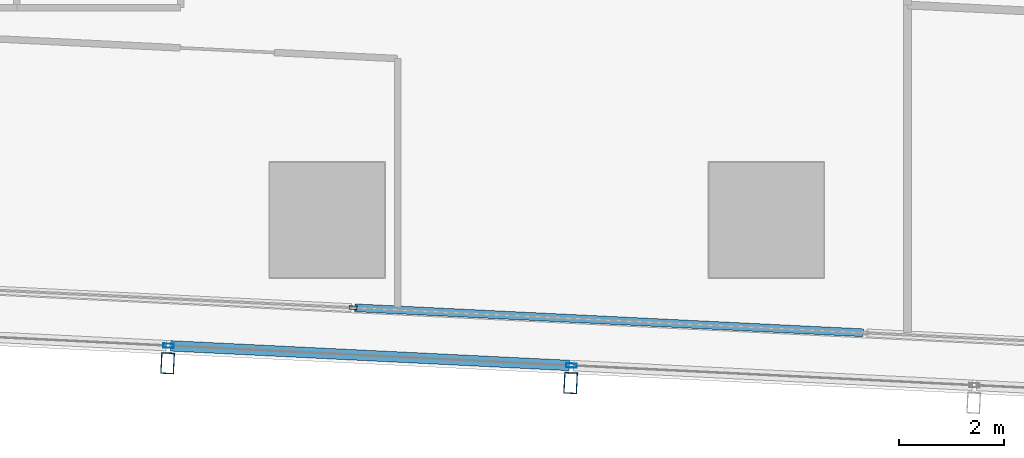
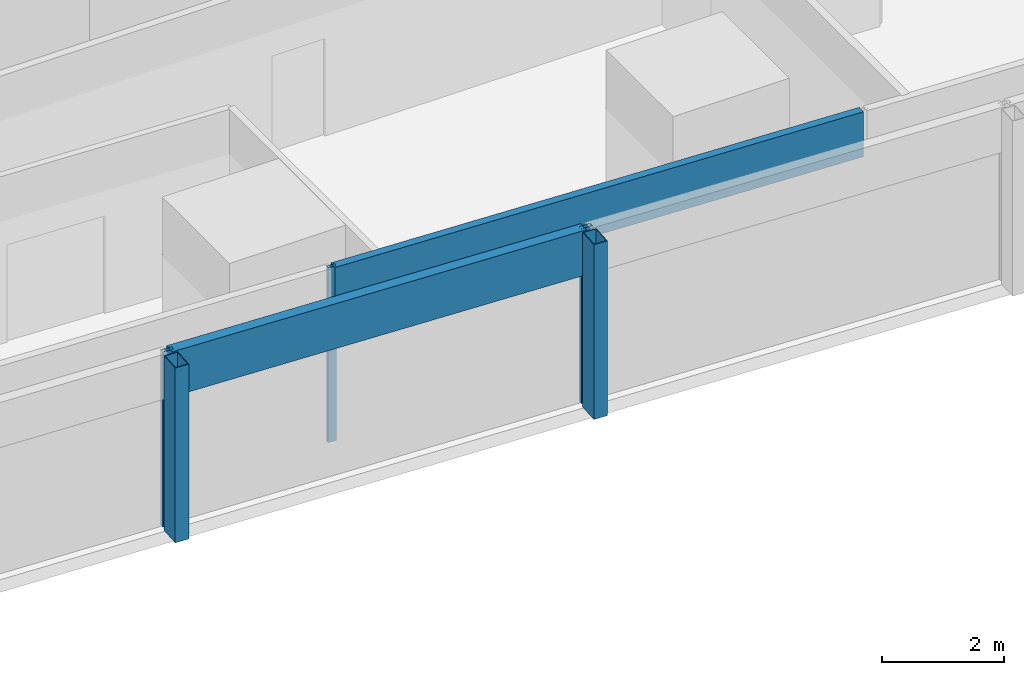
# One storey, part 5 of 44: 7 members, 2 elements without a shape of their own.
"""IFC4 building model written with IfcOpenShell, lengths in metres."""

from ifc_helpers import new_model, si_unit, direction, frame, origin, origin_2d, place, context, subcontext, project, spatial, hollow_rectangle, extrude, material, material_profile, profile_set, type_object, element, aggregate, save


model = new_model("IFC4")

# Units and contexts
model_context = context("Model", 3, precision=1e-05, world=origin(), true_north=direction((0.0, 1.0)))
body_context = subcontext(model_context, "Body", "Model", "MODEL_VIEW")
ifc_project = project(units=[si_unit("LENGTHUNIT", "METRE"), si_unit("AREAUNIT", "SQUARE_METRE"), si_unit("VOLUMEUNIT", "CUBIC_METRE"), si_unit("PLANEANGLEUNIT", "RADIAN"), si_unit("MASSUNIT", "GRAM", prefix="KILO")], contexts=[model_context])

# Site, building, storey
site_placement = place(None, origin())
site = spatial("IfcSite", under=ifc_project, at=site_placement, CompositionType="ELEMENT")
building_placement = place(site_placement, origin())
building = spatial("IfcBuilding", under=site, at=building_placement, Name="Rekha Terrace Tower", CompositionType="ELEMENT")
storey_placement = place(building_placement, frame((0.0, 0.0, 47.89990234375)))
storey = spatial("IfcBuildingStorey", under=building, at=storey_placement, Name="L11", CompositionType="ELEMENT", Elevation=47.89990234375)

# Curtain wall, members
ifc_material_1 = material(Name="Aluminium framing", Category="aluminium")
curtain_wall_type_1 = type_object("IfcCurtainWallType", Name="CW2 double skin outer glazing", PredefinedType="USERDEFINED", material=ifc_material_1)
curtain_wall_1_placement = place(storey_placement, origin())
curtain_wall_1 = element("IfcCurtainWall", 1, at=curtain_wall_1_placement, inside=storey, type_object=curtain_wall_type_1, Name="CW2 double skin outer glazing", ObjectType="DOUBLE SKIN OUTER GLAZING", PredefinedType="USERDEFINED")
ifc_material_2 = material(Name="Steel S355 with fluorocarbon finish", Category="steel")
ifc_material_profile_1 = material_profile(ifc_material_2, hollow_rectangle(XDim=0.25, YDim=0.39990234375, WallThickness=0.012451171875, at=origin_2d()), Name="RHS400x250x12.5")
ifc_profile_set_1 = profile_set([ifc_material_profile_1], Name="Steel S355 with fluorocarbon finish")
member_type_1 = type_object("IfcMemberType", Name="BL1 facade blade RHS 400 x 250", PredefinedType="USERDEFINED", material=ifc_profile_set_1)
member_1_placement = place(storey_placement, frame((22.14990234375, 5.6611328125, 0.0), z_axis=(0.0, 0.0, 1.0), x_axis=(0.998796226835, -0.049051985279, 0.0)))
member_1 = element("IfcMember", 2, at=member_1_placement, type_object=member_type_1, Name="Facade blade", ObjectType="FACADE BLADE", PredefinedType="USERDEFINED", context=body_context, shape_type="SweptSolid", body=[
    extrude(hollow_rectangle(XDim=0.25, YDim=0.39990234375, WallThickness=0.012451171875, at=origin_2d()), origin(), (0.0, 0.0, 1.0), 3.5),
])
member_2_placement = place(storey_placement, frame((29.856201171875, 5.28271484375, 0.0), z_axis=(0.0, 0.0, 1.0), x_axis=(0.998796226835, -0.049051985279, 0.0)))
member_2 = element("IfcMember", 3, at=member_2_placement, type_object=member_type_1, Name="Facade blade", ObjectType="FACADE BLADE", PredefinedType="USERDEFINED", context=body_context, shape_type="SweptSolid", body=[
    extrude(hollow_rectangle(XDim=0.25, YDim=0.39990234375, WallThickness=0.012451171875, at=origin_2d()), origin(), (0.0, 0.0, 1.0), 3.5),
])

curtain_wall_type_2 = type_object("IfcCurtainWallType", Name="CW1 double skin inner glazing", PredefinedType="USERDEFINED", material=ifc_material_1)
curtain_wall_2_placement = place(storey_placement, origin())
curtain_wall_2 = element("IfcCurtainWall", 4, at=curtain_wall_2_placement, inside=storey, type_object=curtain_wall_type_2, Name="CW1 double skin inner glazing", ObjectType="DOUBLE SKIN INNER GLAZING", PredefinedType="USERDEFINED")
ifc_material_3 = material(Name="Aluminium mullion section", Category="aluminium")
ifc_material_profile_2 = material_profile(ifc_material_3, hollow_rectangle(XDim=0.06494140625, YDim=0.14990234375, WallThickness=0.00390625, at=origin_2d()), Name="AL RHS 65x150")
ifc_profile_set_2 = profile_set([ifc_material_profile_2], Name="Aluminium mullion section")
member_type_2 = type_object("IfcMemberType", Name="CW1 mullion RHS 65 x 150", PredefinedType="MULLION", material=ifc_profile_set_2)
member_3_placement = place(storey_placement, frame((25.696044921875, 6.723388671875, 0.0), z_axis=(0.0, 0.0, 1.0), x_axis=(0.049051717746, 0.998796239974, 0.0)))
member_3 = element("IfcMember", 5, at=member_3_placement, type_object=member_type_2, Name="CW1 mullion 2", PredefinedType="MULLION", context=body_context, shape_type="SweptSolid", body=[
    extrude(hollow_rectangle(XDim=0.06494140625, YDim=0.14990234375, WallThickness=0.00390625, at=origin_2d()), origin(), (0.0, 0.0, 1.0), 3.5),
])
ifc_material_4 = material(Name="Insulated aluminium spandrel box", Category="aluminium")
ifc_material_profile_3 = material_profile(ifc_material_4, hollow_rectangle(XDim=0.14990234375, YDim=0.89990234375, WallThickness=0.0029296875, at=origin_2d()), Name="AL SPANDREL BOX 150x900")
ifc_profile_set_3 = profile_set([ifc_material_profile_3], Name="Insulated aluminium spandrel box")
member_type_3 = type_object("IfcMemberType", Name="CW1 spandrel transom 150 x 900", PredefinedType="USERDEFINED", material=ifc_profile_set_3)
member_4_placement = place(storey_placement, frame((25.728515625, 6.721923828125, 3.050048828125), z_axis=(0.998796042167, -0.049055745348, 0.0), x_axis=(0.049055745348, 0.998796042167, 0.0)))
member_4 = element("IfcMember", 6, at=member_4_placement, type_object=member_type_3, Name="CW1 spandrel transom 2", ObjectType="TRANSOM", PredefinedType="USERDEFINED", context=body_context, shape_type="SweptSolid", body=[
    extrude(hollow_rectangle(XDim=0.14990234375, YDim=0.89990234375, WallThickness=0.0029296875, at=origin_2d()), origin(), (0.0, 0.0, 1.0), 9.734619140625),
])
aggregate(curtain_wall_2, [member_3, member_4])

# Member
ifc_material_profile_4 = material_profile(ifc_material_3, hollow_rectangle(XDim=0.080078125, YDim=0.199951171875, WallThickness=0.00390625, at=origin_2d()), Name="AL RHS 80x200")
ifc_profile_set_4 = profile_set([ifc_material_profile_4], Name="Aluminium mullion section")
member_type_4 = type_object("IfcMemberType", Name="CW2 mullion RHS 80 x 200", PredefinedType="MULLION", material=ifc_profile_set_4)
member_5_placement = place(storey_placement, frame((22.166259765625, 5.99560546875, 0.0), z_axis=(0.0, 0.0, 1.0), x_axis=(0.049051717746, 0.998796239974, 0.0)))
member_5 = element("IfcMember", 7, at=member_5_placement, type_object=member_type_4, Name="CW2 mullion 3", PredefinedType="MULLION", context=body_context, shape_type="SweptSolid", body=[
    extrude(hollow_rectangle(XDim=0.080078125, YDim=0.199951171875, WallThickness=0.00390625, at=origin_2d()), origin(), (0.0, 0.0, 1.0), 3.5),
])

member_6_placement = place(storey_placement, frame((29.872802734375, 5.6171875, 0.0), z_axis=(0.0, 0.0, 1.0), x_axis=(0.049051717746, 0.998796239974, 0.0)))
member_6 = element("IfcMember", 8, at=member_6_placement, type_object=member_type_4, Name="CW2 mullion 4", PredefinedType="MULLION", context=body_context, shape_type="SweptSolid", body=[
    extrude(hollow_rectangle(XDim=0.080078125, YDim=0.199951171875, WallThickness=0.00390625, at=origin_2d()), origin(), (0.0, 0.0, 1.0), 3.5),
])

ifc_material_profile_5 = material_profile(ifc_material_4, hollow_rectangle(XDim=0.199951171875, YDim=0.89990234375, WallThickness=0.0029296875, at=origin_2d()), Name="AL SPANDREL BOX 200x900")
ifc_profile_set_5 = profile_set([ifc_material_profile_5], Name="Insulated aluminium spandrel box")
member_type_5 = type_object("IfcMemberType", Name="CW2 spandrel transom 200 x 900", PredefinedType="USERDEFINED", material=ifc_profile_set_5)
member_7_placement = place(storey_placement, frame((22.206298828125, 5.99365234375, 3.050048828125), z_axis=(0.998796434643, -0.049047753721, 0.0), x_axis=(0.049047753721, 0.998796434643, 0.0)))
member_7 = element("IfcMember", 9, at=member_7_placement, type_object=member_type_5, Name="CW2 spandrel transom 3", ObjectType="TRANSOM", PredefinedType="USERDEFINED", context=body_context, shape_type="SweptSolid", body=[
    extrude(hollow_rectangle(XDim=0.199951171875, YDim=0.89990234375, WallThickness=0.0029296875, at=origin_2d()), origin(), (0.0, 0.0, 1.0), 7.6357421875),
])

aggregate(curtain_wall_1, [member_5, member_6, member_7, member_1, member_2])

save(model, "model.ifc")
